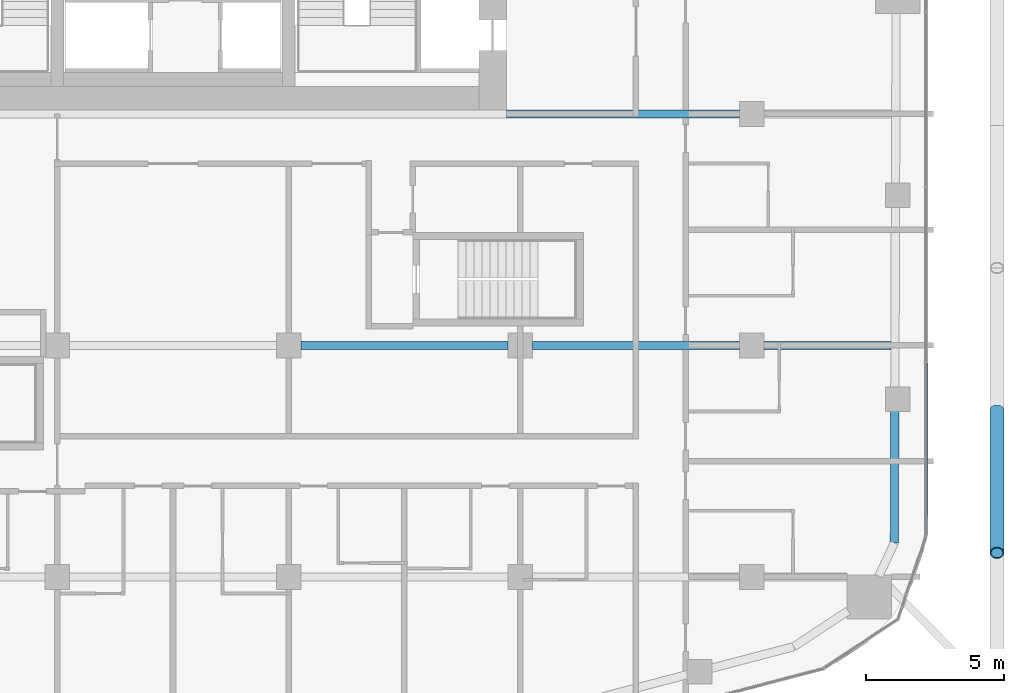
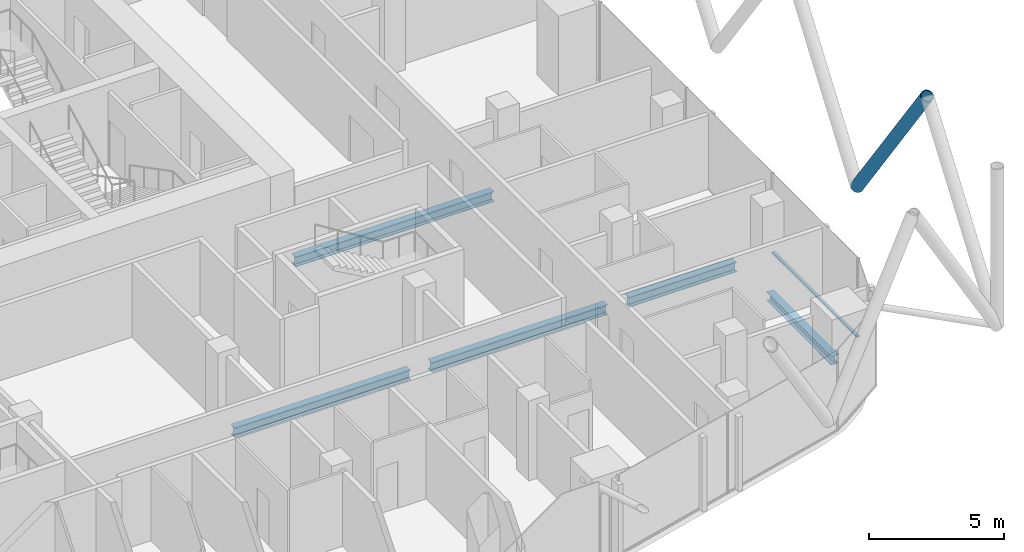
# One storey, part 7 of 33: 5 beams, 2 members, 1 element without a shape of its own.
"""IFC4 building model written with IfcOpenShell, lengths in metres."""

from ifc_helpers import new_model, si_unit, direction, frame, origin, origin_2d, place, context, subcontext, project, spatial, rectangle, hollow_circle, i_section, extrude, material, layer, layer_set, material_profile, profile_set, type_object, element, aggregate, save


model = new_model("IFC4")

# Units and contexts
model_context = context("Model", 3, precision=1e-05, world=origin(), true_north=direction((0.0, 1.0)))
body_context = subcontext(model_context, "Body", "Model", "MODEL_VIEW")
ifc_project = project(units=[si_unit("LENGTHUNIT", "METRE"), si_unit("AREAUNIT", "SQUARE_METRE"), si_unit("VOLUMEUNIT", "CUBIC_METRE"), si_unit("PLANEANGLEUNIT", "RADIAN"), si_unit("MASSUNIT", "GRAM", prefix="KILO")], contexts=[model_context])

# Site, building, storey
site_placement = place(None, origin())
site = spatial("IfcSite", under=ifc_project, at=site_placement, CompositionType="ELEMENT")
building_placement = place(site_placement, origin())
building = spatial("IfcBuilding", under=site, at=building_placement, Name="Marenta Gate Hotel Tower", CompositionType="ELEMENT")
storey_placement = place(building_placement, frame((0.0, 0.0, 108.5)))
storey = spatial("IfcBuildingStorey", under=building, at=storey_placement, Name="L23", CompositionType="ELEMENT", Elevation=108.5)

# Member
ifc_material_1 = material(Name="Steel S355J2W", Category="steel")
ifc_material_profile_1 = material_profile(ifc_material_1, hollow_circle(Radius=0.25390625, WallThickness=0.0400390625, at=origin_2d()), Name="CHS 508x40")
ifc_profile_set_1 = profile_set([ifc_material_profile_1], Name="Steel S355J2W")
member_type_1 = type_object("IfcMemberType", Name="Diagrid diagonal Z2 CHS 508x40", PredefinedType="BRACE", material=ifc_profile_set_1)
member_1_placement = place(storey_placement, frame((29.89990234375, -10.760009765625, 3.139892578125), z_axis=(0.0, -0.583265964901, 0.81228124082), x_axis=(1.0, 0.0, 0.0)))
element("IfcMember", 1, at=member_1_placement, inside=storey, type_object=member_type_1, Name="L23-DG-9", PredefinedType="BRACE", context=body_context, shape_type="SweptSolid", body=[
    extrude(hollow_circle(Radius=0.25390625, WallThickness=0.0400390625, at=origin_2d()), origin(), (0.0, 0.0, 1.0), 8.8642578125),
])

# Beams
ifc_material_2 = material(Name="Steel S355", Category="steel")
ifc_material_profile_2 = material_profile(ifc_material_2, i_section(OverallWidth=0.300048828125, OverallDepth=0.39990234375, WebThickness=0.013427734375, FlangeThickness=0.02392578125, FilletRadius=0.027099609375, at=origin_2d()), Name="HEB 400")
ifc_profile_set_2 = profile_set([ifc_material_profile_2], Name="Steel S355")
beam_type_1 = type_object("IfcBeamType", Name="Edge beam HEB 400", PredefinedType="SPANDREL", material=ifc_profile_set_2)
beam_1_placement = place(storey_placement, frame((26.191162109375, -10.761962890625, -0.4599609375), z_axis=(-0.003353298899, -0.999994377677, 0.0), x_axis=(0.999994377677, -0.003353298899, 0.0)))
element("IfcBeam", 2, at=beam_1_placement, inside=storey, type_object=beam_type_1, Name="L23-EB-27", PredefinedType="SPANDREL", context=body_context, shape_type="SweptSolid", body=[
    extrude(i_section(OverallWidth=0.300048828125, OverallDepth=0.39990234375, WebThickness=0.013427734375, FlangeThickness=0.02392578125, FilletRadius=0.027099609375, at=origin_2d()), origin(), (0.0, 0.0, 1.0), 4.80517578125),
])
ifc_material_3 = material(Name="Steel S355", Category="steel")
ifc_material_profile_3 = material_profile(ifc_material_3, i_section(OverallWidth=0.300048828125, OverallDepth=0.449951171875, WebThickness=0.013916015625, FlangeThickness=0.02587890625, FilletRadius=0.027099609375, at=origin_2d()), Name="HEB 450")
ifc_profile_set_3 = profile_set([ifc_material_profile_3], Name="Steel S355")
beam_type_2 = type_object("IfcBeamType", Name="Girder HEB 450", PredefinedType="BEAM", material=ifc_profile_set_3)
for number, where, z_axis, x_axis, name in (
    (3, (4.64990234375, -8.39990234375, -0.485107421875), (1.0, 0.0, 0.0), (0.0, 1.0, 0.0), "L23-GD-12"),
    (4, (13.050048828125, -8.39990234375, -0.485107421875), (1.0, 0.0, 0.0), (0.0, 1.0, 0.0), "L23-GD-13"),
):
    element("IfcBeam", number, at=place(storey_placement, frame(where, z_axis=z_axis, x_axis=x_axis)), inside=storey, type_object=beam_type_2, Name=name, PredefinedType="BEAM", context=body_context, shape_type="SweptSolid", body=[
        extrude(i_section(OverallWidth=0.300048828125, OverallDepth=0.449951171875, WebThickness=0.013916015625, FlangeThickness=0.02587890625, FilletRadius=0.027099609375, at=origin_2d()), origin(), (0.0, 0.0, 1.0), 7.5),
    ])
beam_2_placement = place(storey_placement, frame((21.449951171875, -8.39990234375, -0.485107421875), z_axis=(1.0, 0.0, 0.0), x_axis=(0.0, 1.0, 0.0)))
element("IfcBeam", 5, at=beam_2_placement, inside=storey, type_object=beam_type_2, Name="L23-GD-14", PredefinedType="BEAM", context=body_context, shape_type="SweptSolid", body=[
    extrude(i_section(OverallWidth=0.300048828125, OverallDepth=0.449951171875, WebThickness=0.013916015625, FlangeThickness=0.02587890625, FilletRadius=0.027099609375, at=origin_2d()), origin(), (0.0, 0.0, 1.0), 4.59912109375),
])
beam_3_placement = place(storey_placement, frame((12.10009765625, 0.0, -0.485107421875), z_axis=(1.0, 0.0, 0.0), x_axis=(0.0, 1.0, 0.0)))
element("IfcBeam", 6, at=beam_3_placement, inside=storey, type_object=beam_type_2, Name="L23-GD-18", PredefinedType="BEAM", context=body_context, shape_type="SweptSolid", body=[
    extrude(i_section(OverallWidth=0.300048828125, OverallDepth=0.449951171875, WebThickness=0.013916015625, FlangeThickness=0.02587890625, FilletRadius=0.027099609375, at=origin_2d()), origin(), (0.0, 0.0, 1.0), 8.449951171875),
])

# Curtain wall, member
ifc_material_4 = material(Name="Tinted insulated glass in bronze anodised frame", Category="glass")
ifc_layer = layer(ifc_material_4, 0.1201171875)
ifc_layer_set = layer_set([ifc_layer], Name="Tinted insulated glass in bronze anodised frame")
curtain_wall_type = type_object("IfcCurtainWallType", Name="Tower unitised curtain wall CW1", PredefinedType="NOTDEFINED", material=ifc_layer_set)
curtain_wall_placement = place(storey_placement, origin())
curtain_wall = element("IfcCurtainWall", 7, at=curtain_wall_placement, inside=storey, type_object=curtain_wall_type, Name="CW1 run G19", PredefinedType="NOTDEFINED")
ifc_material_5 = material(Name="Bronze anodised aluminium", Category="aluminium")
ifc_material_profile_4 = material_profile(ifc_material_5, rectangle(XDim=0.1201171875, YDim=0.06005859375, at=origin_2d()), Name="Transom CW1 60x120 bronze anodised aluminium")
ifc_profile_set_4 = profile_set([ifc_material_profile_4], Name="Bronze anodised aluminium")
member_type_2 = type_object("IfcMemberType", Name="Transom CW1 60x120 bronze anodised aluminium", PredefinedType="USERDEFINED", material=ifc_profile_set_4)
member_2_placement = place(storey_placement, frame((27.31396484375, -15.30810546875, 0.030029296875), z_axis=(0.0, 1.0, 0.0), x_axis=(-1.0, 0.0, 0.0)))
member_2 = element("IfcMember", 8, at=member_2_placement, type_object=member_type_2, Name="CW1 transom 1.1", ObjectType="TRANSOM", PredefinedType="USERDEFINED", context=body_context, shape_type="SweptSolid", body=[
    extrude(rectangle(XDim=0.1201171875, YDim=0.06005859375, at=origin_2d()), origin(), (0.0, 0.0, 1.0), 6.27001953125),
])
aggregate(curtain_wall, [member_2])

save(model, "model.ifc")
